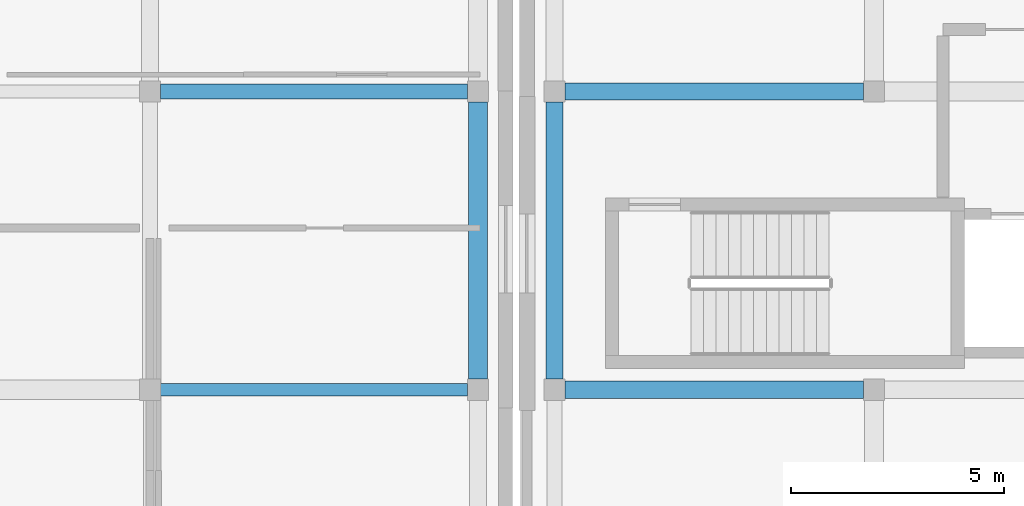
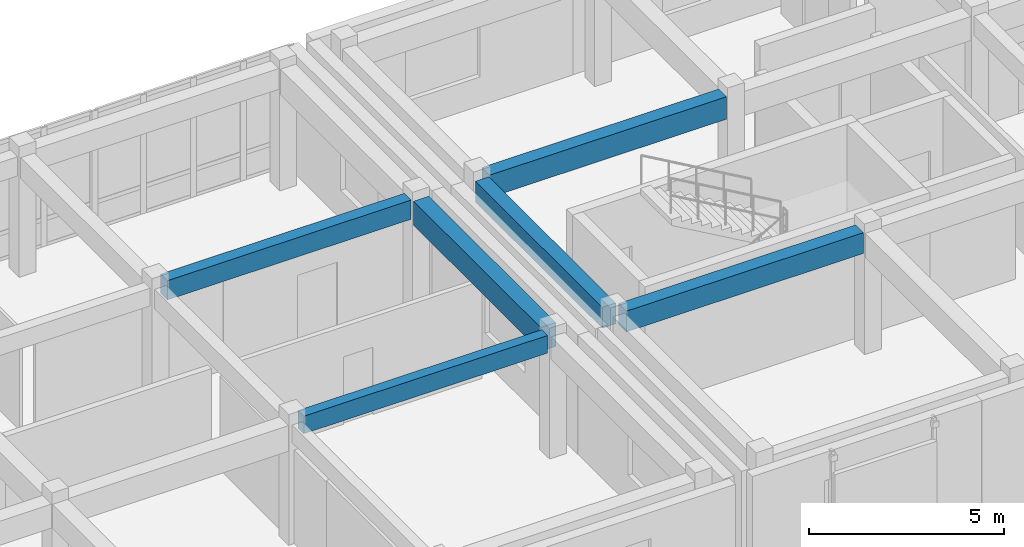
# One storey, part 27 of 91: 6 beams.
"""IFC4 building model written with IfcOpenShell, lengths in metres."""

from ifc_helpers import new_model, si_unit, direction, frame, origin, origin_2d, place, context, subcontext, project, spatial, rectangle, extrude, material, material_profile, profile_set, type_object, element, save


model = new_model("IFC4")

# Units and contexts
model_context = context("Model", 3, precision=1e-05, world=origin(), true_north=direction((0.0, 1.0)))
body_context = subcontext(model_context, "Body", "Model", "MODEL_VIEW")
ifc_project = project(units=[si_unit("LENGTHUNIT", "METRE"), si_unit("AREAUNIT", "SQUARE_METRE"), si_unit("VOLUMEUNIT", "CUBIC_METRE"), si_unit("PLANEANGLEUNIT", "RADIAN"), si_unit("MASSUNIT", "GRAM", prefix="KILO")], contexts=[model_context])

# Site, building, storey
site_placement = place(None, origin())
site = spatial("IfcSite", under=ifc_project, at=site_placement, CompositionType="ELEMENT")
building_placement = place(site_placement, origin())
building = spatial("IfcBuilding", under=site, at=building_placement, Name="Valcora Specialist Clinic", CompositionType="ELEMENT")
storey_placement = place(building_placement, frame((0.0, 0.0, 13.60009765625)))
storey = spatial("IfcBuildingStorey", under=building, at=storey_placement, Name="L03", CompositionType="ELEMENT", Elevation=13.60009765625)

# Beams
ifc_material = material(Name="Concrete C40/50", Category="concrete")
ifc_material_profile_1 = material_profile(ifc_material, rectangle(XDim=0.300048828125, YDim=0.550048828125, at=origin_2d()), Name="RC-BM-300X550")
ifc_profile_set_1 = profile_set([ifc_material_profile_1], Name="Concrete C40/50")
beam_type_1 = type_object("IfcBeamType", Name="TY-BM-RC300X550", PredefinedType="BEAM", material=ifc_profile_set_1)
beam_1_placement = place(storey_placement, frame((45.050048828125, 8.199951171875, 3.52001953125), z_axis=(1.0, 0.0, 0.0), x_axis=(0.0, 1.0, 0.0)))
element("IfcBeam", 1, at=beam_1_placement, inside=storey, type_object=beam_type_1, Name="Beam BM-L03-1039", PredefinedType="BEAM", context=body_context, shape_type="SweptSolid", body=[
    extrude(rectangle(XDim=0.300048828125, YDim=0.550048828125, at=origin_2d()), origin(), (0.0, 0.0, 1.0), 7.199951171875),
])
ifc_material_profile_2 = material_profile(ifc_material, rectangle(XDim=0.35009765625, YDim=0.60009765625, at=origin_2d()), Name="RC-BM-350X600")
ifc_profile_set_2 = profile_set([ifc_material_profile_2], Name="Concrete C40/50")
beam_type_2 = type_object("IfcBeamType", Name="TY-BM-RC350X600", PredefinedType="BEAM", material=ifc_profile_set_2)
beam_2_placement = place(storey_placement, frame((45.050048828125, 15.199951171875, 3.494873046875), z_axis=(1.0, 0.0, 0.0), x_axis=(0.0, 1.0, 0.0)))
element("IfcBeam", 2, at=beam_2_placement, inside=storey, type_object=beam_type_2, Name="Beam BM-L03-1046", PredefinedType="BEAM", context=body_context, shape_type="SweptSolid", body=[
    extrude(rectangle(XDim=0.35009765625, YDim=0.60009765625, at=origin_2d()), origin(), (0.0, 0.0, 1.0), 7.199951171875),
])
ifc_material_profile_3 = material_profile(ifc_material, rectangle(XDim=0.39990234375, YDim=0.64990234375, at=origin_2d()), Name="RC-BM-400X650")
ifc_profile_set_3 = profile_set([ifc_material_profile_3], Name="Concrete C40/50")
beam_type_3 = type_object("IfcBeamType", Name="TY-BM-RC400X650", PredefinedType="BEAM", material=ifc_profile_set_3)
beam_3_placement = place(storey_placement, frame((54.550048828125, 8.199951171875, 3.454833984375), z_axis=(1.0, 0.0, 0.0), x_axis=(0.0, 1.0, 0.0)))
element("IfcBeam", 3, at=beam_3_placement, inside=storey, type_object=beam_type_3, Name="Beam BM-L03-1425", PredefinedType="BEAM", context=body_context, shape_type="SweptSolid", body=[
    extrude(rectangle(XDim=0.39990234375, YDim=0.64990234375, at=origin_2d()), origin(), (0.0, 0.0, 1.0), 7.0),
])
beam_4_placement = place(storey_placement, frame((54.300048828125, 8.449951171875, 3.454833984375), z_axis=(0.0, 1.0, 0.0), x_axis=(-1.0, 0.0, 0.0)))
element("IfcBeam", 4, at=beam_4_placement, inside=storey, type_object=beam_type_3, Name="Beam BM-L03-1447", PredefinedType="BEAM", context=body_context, shape_type="SweptSolid", body=[
    extrude(rectangle(XDim=0.39990234375, YDim=0.64990234375, at=origin_2d()), origin(), (0.0, 0.0, 1.0), 6.5),
])
ifc_material_profile_4 = material_profile(ifc_material, rectangle(XDim=0.39990234375, YDim=0.699951171875, at=origin_2d()), Name="RC-BM-400X700")
ifc_profile_set_4 = profile_set([ifc_material_profile_4], Name="Concrete C40/50")
beam_type_4 = type_object("IfcBeamType", Name="TY-BM-RC400X700", PredefinedType="BEAM", material=ifc_profile_set_4)
beam_5_placement = place(storey_placement, frame((54.550048828125, 15.199951171875, 3.429931640625), z_axis=(1.0, 0.0, 0.0), x_axis=(0.0, 1.0, 0.0)))
element("IfcBeam", 5, at=beam_5_placement, inside=storey, type_object=beam_type_4, Name="Beam BM-L03-1432", PredefinedType="BEAM", context=body_context, shape_type="SweptSolid", body=[
    extrude(rectangle(XDim=0.39990234375, YDim=0.699951171875, at=origin_2d()), origin(), (0.0, 0.0, 1.0), 7.0),
])
ifc_material_profile_5 = material_profile(ifc_material, rectangle(XDim=0.449951171875, YDim=0.75, at=origin_2d()), Name="RC-BM-450X750")
ifc_profile_set_5 = profile_set([ifc_material_profile_5], Name="Concrete C40/50")
beam_type_5 = type_object("IfcBeamType", Name="TY-BM-RC450X750", PredefinedType="BEAM", material=ifc_profile_set_5)
beam_6_placement = place(storey_placement, frame((52.5, 8.449951171875, 3.419921875), z_axis=(0.0, 1.0, 0.0), x_axis=(-1.0, 0.0, 0.0)))
element("IfcBeam", 6, at=beam_6_placement, inside=storey, type_object=beam_type_5, Name="Beam BM-L03-1071", PredefinedType="BEAM", context=body_context, shape_type="SweptSolid", body=[
    extrude(rectangle(XDim=0.449951171875, YDim=0.75, at=origin_2d()), origin(), (0.0, 0.0, 1.0), 6.5),
])

save(model, "model.ifc")
